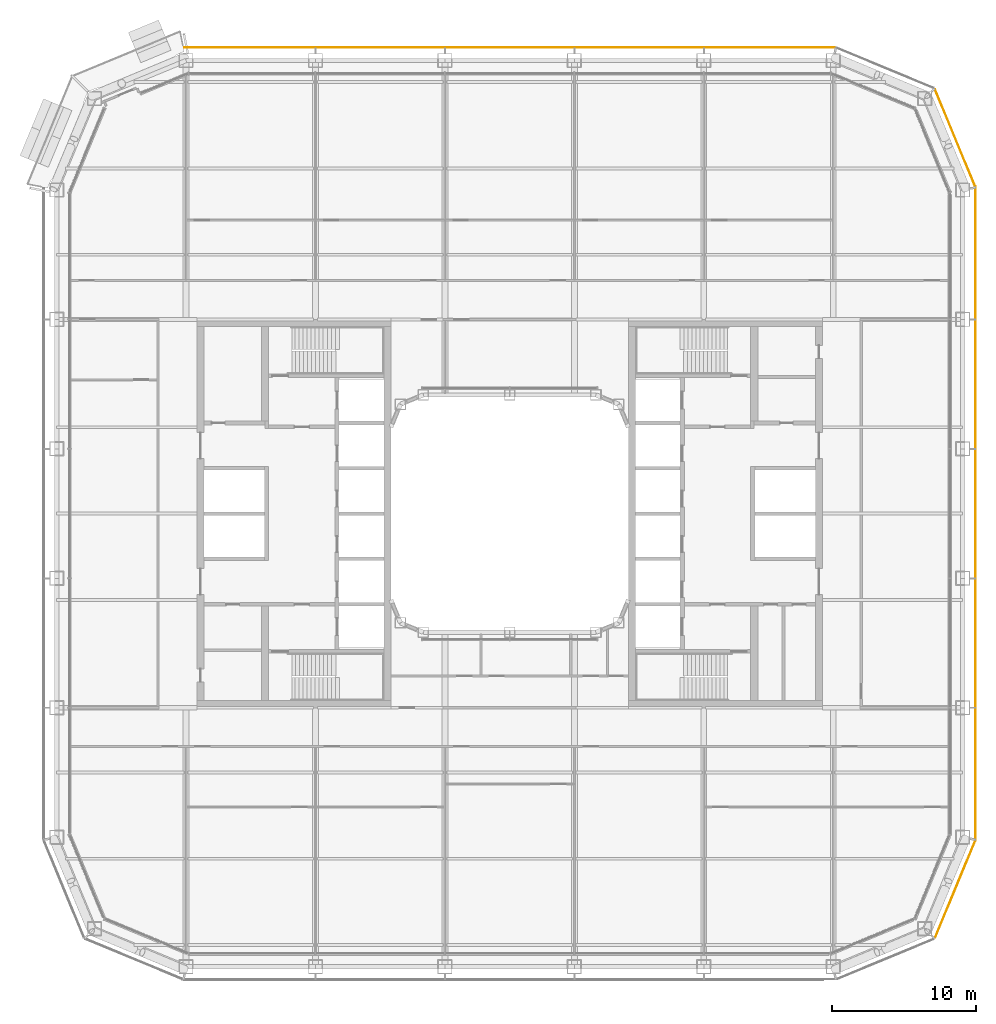
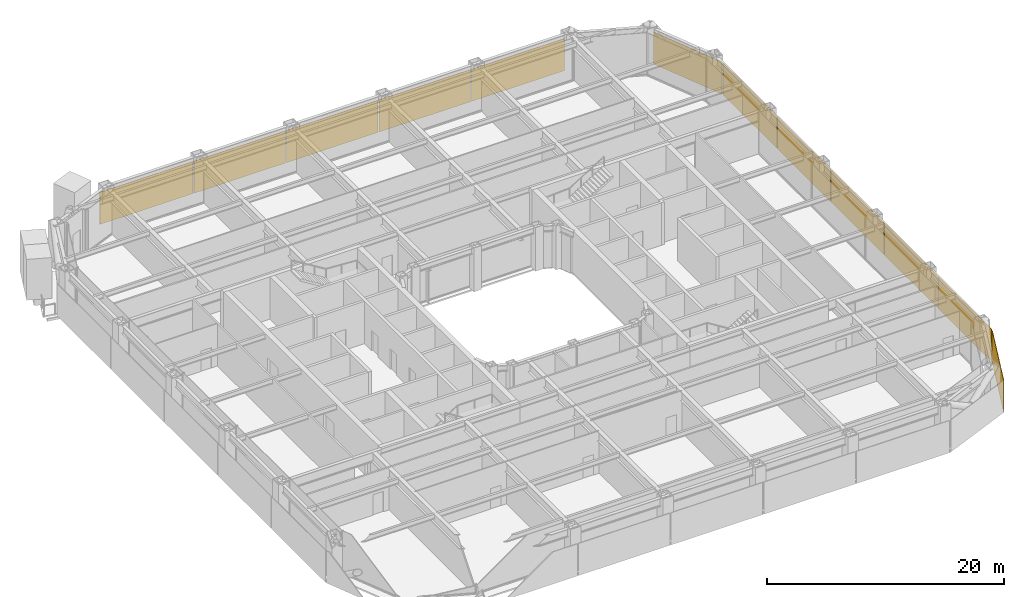
# One storey, part 28 of 29: 12 coverings.
"""IFC4 building model written with IfcOpenShell, lengths in metres."""

from ifc_helpers import new_model, si_unit, direction, frame, origin, origin_2d, place, context, subcontext, project, spatial, rectangle, extrude, material, layer, layer_set, type_object, element, save


model = new_model("IFC4")

# Units and contexts
model_context = context("Model", 3, precision=1e-05, world=origin(), true_north=direction((0.0, 1.0)))
body_context = subcontext(model_context, "Body", "Model", "MODEL_VIEW")
ifc_project = project(units=[si_unit("LENGTHUNIT", "METRE"), si_unit("AREAUNIT", "SQUARE_METRE"), si_unit("VOLUMEUNIT", "CUBIC_METRE"), si_unit("PLANEANGLEUNIT", "RADIAN"), si_unit("MASSUNIT", "GRAM", prefix="KILO")], contexts=[model_context])

# Site, building, storey
site_placement = place(None, origin())
site = spatial("IfcSite", under=ifc_project, at=site_placement, CompositionType="ELEMENT")
building_placement = place(site_placement, origin())
building = spatial("IfcBuilding", under=site, at=building_placement, Name="Siwar Civic Tower", CompositionType="ELEMENT")
storey_placement = place(building_placement, frame((0.0, 0.0, 67.199951171875)))
storey = spatial("IfcBuildingStorey", under=building, at=storey_placement, Name="L14", CompositionType="ELEMENT", Elevation=67.199951171875)

# Coverings
ifc_material_1 = material(Name="Perforated aluminium cassette, pale metal", Category="aluminium")
ifc_layer_1 = layer(ifc_material_1, 0.0400390625)
ifc_layer_set_1 = layer_set([ifc_layer_1], Name="Perforated aluminium cassette, pale metal")
covering_type_1 = type_object("IfcCoveringType", Name="ENV-OUTER SKIN OS-1", PredefinedType="CLADDING", material=ifc_layer_set_1)
covering_1_placement = place(storey_placement, frame((32.39990234375, -18.07958984375, -0.14990234375), z_axis=(0.0, 0.0, 1.0), x_axis=(0.0, 1.0, 0.0)))
element("IfcCovering", 1, at=covering_1_placement, inside=storey, type_object=covering_type_1, Name="OUTER SKIN OS-1 E 1", PredefinedType="CLADDING", context=body_context, shape_type="SweptSolid", body=[
    extrude(rectangle(XDim=9.05908203125, YDim=0.0400390625, at=origin_2d()), origin(), (0.0, 0.0, 1.0), 3.300048828125),
])
for number, where, z_axis, x_axis, name in (
    (2, (32.39990234375, -9.0, -0.14990234375), (0.0, 0.0, 1.0), (0.0, 1.0, 0.0), "OUTER SKIN OS-1 E 2"),
    (3, (32.39990234375, 0.0, -0.14990234375), (0.0, 0.0, 1.0), (0.0, 1.0, 0.0), "OUTER SKIN OS-1 E 3"),
    (4, (32.39990234375, 9.0, -0.14990234375), (0.0, 0.0, 1.0), (0.0, 1.0, 0.0), "OUTER SKIN OS-1 E 4"),
):
    element("IfcCovering", number, at=place(storey_placement, frame(where, z_axis=z_axis, x_axis=x_axis)), inside=storey, type_object=covering_type_1, Name=name, PredefinedType="CLADDING", context=body_context, shape_type="SweptSolid", body=[
        extrude(rectangle(XDim=8.89990234375, YDim=0.0400390625, at=origin_2d()), origin(), (0.0, 0.0, 1.0), 3.300048828125),
    ])
covering_2_placement = place(storey_placement, frame((32.39990234375, 18.07958984375, -0.14990234375), z_axis=(0.0, 0.0, 1.0), x_axis=(0.0, 1.0, 0.0)))
element("IfcCovering", 5, at=covering_2_placement, inside=storey, type_object=covering_type_1, Name="OUTER SKIN OS-1 E 5", PredefinedType="CLADDING", context=body_context, shape_type="SweptSolid", body=[
    extrude(rectangle(XDim=9.05908203125, YDim=0.0400390625, at=origin_2d()), origin(), (0.0, 0.0, 1.0), 3.300048828125),
])
covering_3_placement = place(storey_placement, frame((30.976318359375, 26.115966796875, -0.14990234375), z_axis=(0.0, 0.0, 1.0), x_axis=(-0.382683432365, 0.923879532511, 0.0)))
element("IfcCovering", 6, at=covering_3_placement, inside=storey, type_object=covering_type_1, Name="OUTER SKIN OS-1 NE1 1", PredefinedType="CLADDING", context=body_context, shape_type="SweptSolid", body=[
    extrude(rectangle(XDim=7.300048828125, YDim=0.0400390625, at=origin_2d()), origin(), (0.0, 0.0, 1.0), 3.300048828125),
])
covering_4_placement = place(storey_placement, frame((18.07958984375, 32.39990234375, -0.14990234375), z_axis=(0.0, 0.0, 1.0), x_axis=(-1.0, 0.0, 0.0)))
element("IfcCovering", 7, at=covering_4_placement, inside=storey, type_object=covering_type_1, Name="OUTER SKIN OS-1 N 1", PredefinedType="CLADDING", context=body_context, shape_type="SweptSolid", body=[
    extrude(rectangle(XDim=9.05908203125, YDim=0.0400390625, at=origin_2d()), origin(), (0.0, 0.0, 1.0), 3.300048828125),
])
for number, where, z_axis, x_axis, name in (
    (8, (9.0, 32.39990234375, -0.14990234375), (0.0, 0.0, 1.0), (-1.0, 0.0, 0.0), "OUTER SKIN OS-1 N 2"),
    (9, (0.0, 32.39990234375, -0.14990234375), (0.0, 0.0, 1.0), (-1.0, 0.0, 0.0), "OUTER SKIN OS-1 N 3"),
    (10, (-9.0, 32.39990234375, -0.14990234375), (0.0, 0.0, 1.0), (-1.0, 0.0, 0.0), "OUTER SKIN OS-1 N 4"),
):
    element("IfcCovering", number, at=place(storey_placement, frame(where, z_axis=z_axis, x_axis=x_axis)), inside=storey, type_object=covering_type_1, Name=name, PredefinedType="CLADDING", context=body_context, shape_type="SweptSolid", body=[
        extrude(rectangle(XDim=8.89990234375, YDim=0.0400390625, at=origin_2d()), origin(), (0.0, 0.0, 1.0), 3.300048828125),
    ])
covering_5_placement = place(storey_placement, frame((-18.07958984375, 32.39990234375, -0.14990234375), z_axis=(0.0, 0.0, 1.0), x_axis=(-1.0, 0.0, 0.0)))
element("IfcCovering", 11, at=covering_5_placement, inside=storey, type_object=covering_type_1, Name="OUTER SKIN OS-1 N 5", PredefinedType="CLADDING", context=body_context, shape_type="SweptSolid", body=[
    extrude(rectangle(XDim=9.05908203125, YDim=0.0400390625, at=origin_2d()), origin(), (0.0, 0.0, 1.0), 3.300048828125),
])
ifc_material_2 = material(Name="Perforated aluminium cassette, pale metal", Category="aluminium")
ifc_layer_2 = layer(ifc_material_2, 0.044921875)
ifc_layer_set_2 = layer_set([ifc_layer_2], Name="Perforated aluminium cassette, pale metal")
covering_type_2 = type_object("IfcCoveringType", Name="ENV-OUTER SKIN OS-2", PredefinedType="CLADDING", material=ifc_layer_set_2)
covering_6_placement = place(storey_placement, frame((30.976318359375, -26.115966796875, -0.14990234375), z_axis=(0.0, 0.0, 1.0), x_axis=(0.382683432365, 0.923879532511, 0.0)))
element("IfcCovering", 12, at=covering_6_placement, inside=storey, type_object=covering_type_2, Name="OUTER SKIN OS-2 SE2 1", PredefinedType="CLADDING", context=body_context, shape_type="SweptSolid", body=[
    extrude(rectangle(XDim=7.300048828125, YDim=0.044921875, at=origin_2d()), origin(), (0.0, 0.0, 1.0), 3.300048828125),
])

save(model, "model.ifc")
